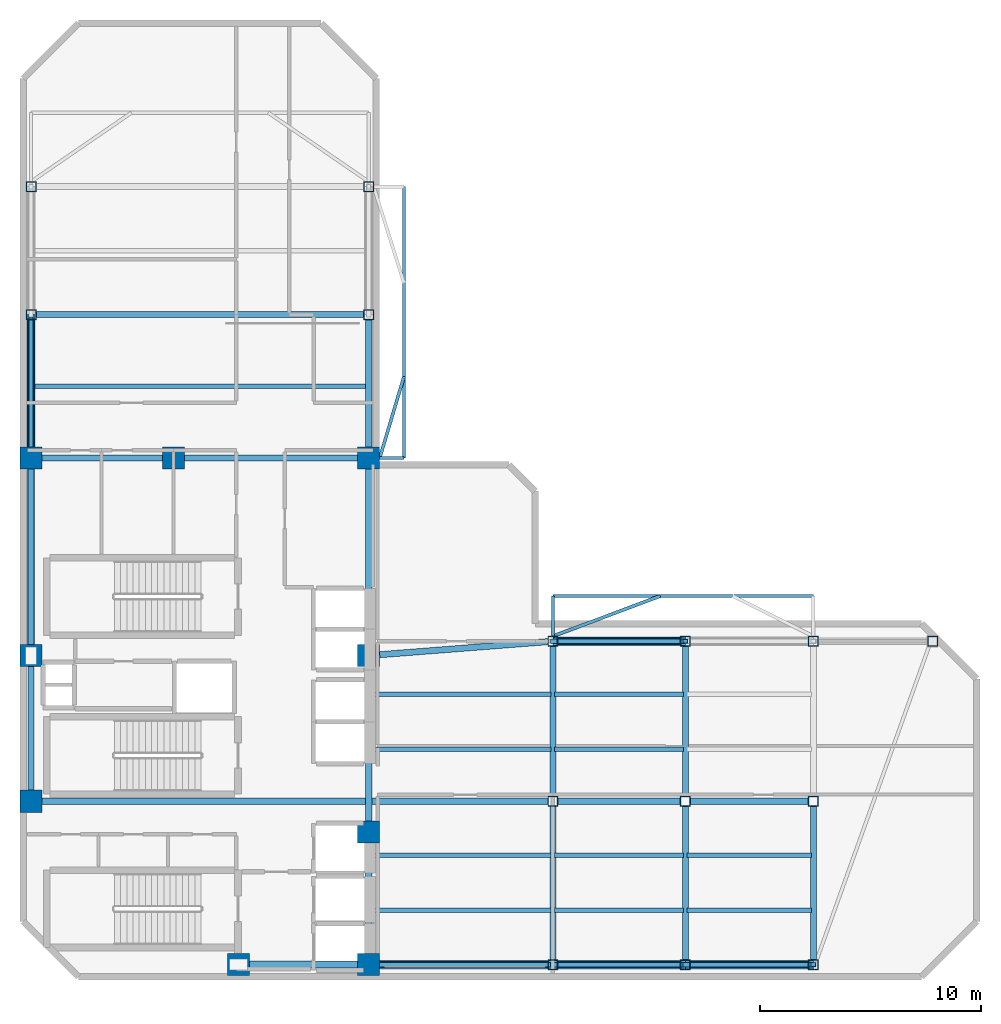
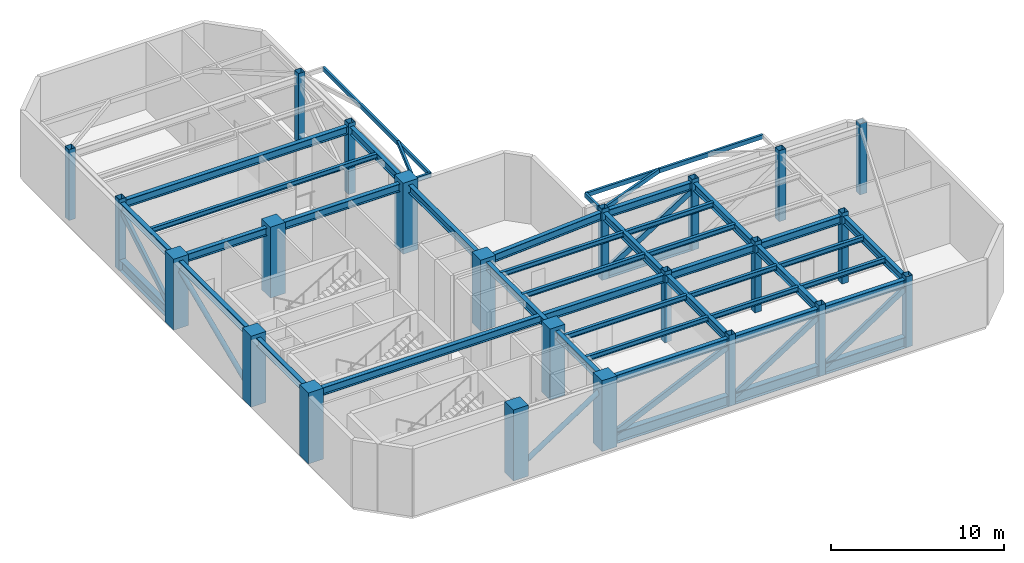
# One storey, part 1 of 7: 40 beams, 23 columns, 12 members.
"""IFC4 building model written with IfcOpenShell, lengths in metres."""

from ifc_helpers import new_model, si_unit, direction, frame, origin, origin_2d, place, context, subcontext, project, spatial, rectangle, hollow_rectangle, hollow_circle, i_section, extrude, material, material_profile, profile_set, type_object, element, save


model = new_model("IFC4")

# Units and contexts
model_context = context("Model", 3, precision=1e-05, world=origin(), true_north=direction((0.0, 1.0)))
body_context = subcontext(model_context, "Body", "Model", "MODEL_VIEW")
ifc_project = project(units=[si_unit("LENGTHUNIT", "METRE"), si_unit("AREAUNIT", "SQUARE_METRE"), si_unit("VOLUMEUNIT", "CUBIC_METRE"), si_unit("PLANEANGLEUNIT", "RADIAN"), si_unit("MASSUNIT", "GRAM", prefix="KILO")], contexts=[model_context])

# Site, building, storey
site_placement = place(None, origin())
site = spatial("IfcSite", under=ifc_project, at=site_placement, CompositionType="ELEMENT")
building_placement = place(site_placement, origin())
building = spatial("IfcBuilding", under=site, at=building_placement, Name="Mawjaban Terraces University", CompositionType="ELEMENT")
storey_placement = place(building_placement, frame((0.0, 0.0, 238.199951171875)))
storey = spatial("IfcBuildingStorey", under=building, at=storey_placement, Name="L58", CompositionType="ELEMENT", Elevation=238.199951171875)

# Columns
ifc_material_1 = material(Name="Concrete C60/75", Category="concrete")
ifc_material_profile_1 = material_profile(ifc_material_1, rectangle(XDim=1.0, YDim=1.0, at=origin_2d()), Name="RC1000X1000")
ifc_profile_set_1 = profile_set([ifc_material_profile_1], Name="Concrete C60/75")
column_type_1 = type_object("IfcColumnType", Name="Col_RC1000X1000", PredefinedType="COLUMN", material=ifc_profile_set_1)
for number, where, z_axis, x_axis, name in (
    (1, (31.75, 0.550048828125, 0.0), (0.0, 0.0, 1.0), (1.0, 0.0, 0.0), "L58 Column CC2"),
    (2, (37.64990234375, 0.550048828125, 0.0), (0.0, 0.0, 1.0), (1.0, 0.0, 0.0), "L58 Column CC3"),
    (3, (22.35009765625, 7.949951171875, 0.0), (0.0, 0.0, 1.0), (1.0, 0.0, 0.0), "L58 Column CC4"),
    (4, (37.64990234375, 6.550048828125, 0.0), (0.0, 0.0, 1.0), (1.0, 0.0, 0.0), "L58 Column CC5"),
    (5, (22.35009765625, 14.550048828125, 0.0), (0.0, 0.0, 1.0), (1.0, 0.0, 0.0), "L58 Column CC6"),
    (6, (37.64990234375, 14.550048828125, 0.0), (0.0, 0.0, 1.0), (1.0, 0.0, 0.0), "L58 Column CC7"),
    (7, (22.35009765625, 23.5, 0.0), (0.0, 0.0, 1.0), (1.0, 0.0, 0.0), "L58 Column CC8"),
    (8, (28.800048828125, 23.5, 0.0), (0.0, 0.0, 1.0), (1.0, 0.0, 0.0), "L58 Column CC9"),
    (9, (37.64990234375, 23.5, 0.0), (0.0, 0.0, 1.0), (1.0, 0.0, 0.0), "L58 Column CC10"),
):
    element("IfcColumn", number, at=place(storey_placement, frame(where, z_axis=z_axis, x_axis=x_axis)), inside=storey, type_object=column_type_1, Name=name, PredefinedType="COLUMN", context=body_context, shape_type="SweptSolid", body=[
        extrude(rectangle(XDim=1.0, YDim=1.0, at=origin_2d()), origin(), (0.0, 0.0, 1.0), 5.0),
    ])
ifc_material_2 = material(Name="Steel EN 10210-1 S355J2H", Category="steel")
ifc_material_profile_2 = material_profile(ifc_material_2, hollow_rectangle(XDim=0.449951171875, YDim=0.449951171875, WallThickness=0.02001953125, at=origin_2d()), Name="SHS450X450X20")
ifc_profile_set_2 = profile_set([ifc_material_profile_2], Name="Steel EN 10210-1 S355J2H")
column_type_2 = type_object("IfcColumnType", Name="Col_SHS450X450X20", PredefinedType="COLUMN", material=ifc_profile_set_2)
for number, where, z_axis, x_axis, name in (
    (10, (46.0, 0.550048828125, 0.0), (0.0, 0.0, 1.0), (1.0, 0.0, 0.0), "L58 Column TE-460-005"),
    (11, (46.0, 7.949951171875, 0.0), (0.0, 0.0, 1.0), (1.0, 0.0, 0.0), "L58 Column TE-460-080"),
    (12, (46.0, 15.199951171875, 0.0), (0.0, 0.0, 1.0), (1.0, 0.0, 0.0), "L58 Column TE-460-152"),
    (13, (52.0, 0.550048828125, 0.0), (0.0, 0.0, 1.0), (1.0, 0.0, 0.0), "L58 Column TE-520-005"),
    (14, (52.0, 7.949951171875, 0.0), (0.0, 0.0, 1.0), (1.0, 0.0, 0.0), "L58 Column TE-520-080"),
    (15, (52.0, 15.199951171875, 0.0), (0.0, 0.0, 1.0), (1.0, 0.0, 0.0), "L58 Column TE-520-152"),
    (16, (57.800048828125, 0.550048828125, 0.0), (0.0, 0.0, 1.0), (1.0, 0.0, 0.0), "L58 Column TE-578-005"),
    (17, (57.800048828125, 7.949951171875, 0.0), (0.0, 0.0, 1.0), (1.0, 0.0, 0.0), "L58 Column TE-578-080"),
    (18, (57.800048828125, 15.199951171875, 0.0), (0.0, 0.0, 1.0), (1.0, 0.0, 0.0), "L58 Column TE-578-152"),
    (19, (63.199951171875, 15.199951171875, 0.0), (0.0, 0.0, 1.0), (1.0, 0.0, 0.0), "L58 Column TE-632-152"),
    (20, (22.35009765625, 30.0, 0.0), (0.0, 0.0, 1.0), (1.0, 0.0, 0.0), "L58 Column TN-223-300"),
    (21, (37.64990234375, 30.0, 0.0), (0.0, 0.0, 1.0), (1.0, 0.0, 0.0), "L58 Column TN-376-300"),
    (22, (22.35009765625, 35.800048828125, 0.0), (0.0, 0.0, 1.0), (1.0, 0.0, 0.0), "L58 Column TN-223-358"),
    (23, (37.64990234375, 35.800048828125, 0.0), (0.0, 0.0, 1.0), (1.0, 0.0, 0.0), "L58 Column TN-376-358"),
):
    element("IfcColumn", number, at=place(storey_placement, frame(where, z_axis=z_axis, x_axis=x_axis)), inside=storey, type_object=column_type_2, Name=name, PredefinedType="COLUMN", context=body_context, shape_type="SweptSolid", body=[
        extrude(hollow_rectangle(XDim=0.449951171875, YDim=0.449951171875, WallThickness=0.02001953125, at=origin_2d()), origin(), (0.0, 0.0, 1.0), 5.0),
    ])

# Beams
ifc_material_profile_3 = material_profile(ifc_material_2, hollow_rectangle(XDim=0.14990234375, YDim=0.300048828125, WallThickness=0.012451171875, at=origin_2d()), Name="RHS300X150X12.5")
ifc_profile_set_3 = profile_set([ifc_material_profile_3], Name="Steel EN 10210-1 S355J2H")
beam_type_1 = type_object("IfcBeamType", Name="BalconyCantileverSpandrel_RHS", PredefinedType="SPANDREL", material=ifc_profile_set_3)
beam_1_placement = place(storey_placement, frame((46.0, 15.425048828125, 4.590087890625), z_axis=(0.0, 1.0, 0.0), x_axis=(-1.0, 0.0, 0.0)))
element("IfcBeam", 24, at=beam_1_placement, inside=storey, type_object=beam_type_1, Name="L58 Exterior Outrigger BAL-L59-N.1", PredefinedType="SPANDREL", context=body_context, shape_type="SweptSolid", body=[
    extrude(hollow_rectangle(XDim=0.14990234375, YDim=0.300048828125, WallThickness=0.012451171875, at=origin_2d()), origin(), (0.0, 0.0, 1.0), 1.824951171875),
])
beam_2_placement = place(storey_placement, frame((46.0, 17.25, 4.590087890625), z_axis=(1.0, 0.0, 0.0), x_axis=(0.0, 1.0, 0.0)))
element("IfcBeam", 25, at=beam_2_placement, inside=storey, type_object=beam_type_1, Name="L58 Exterior Edge Spandrel BAL-L59-N", PredefinedType="SPANDREL", context=body_context, shape_type="SweptSolid", body=[
    extrude(hollow_rectangle(XDim=0.14990234375, YDim=0.300048828125, WallThickness=0.012451171875, at=origin_2d()), origin(), (0.0, 0.0, 1.0), 11.800048828125),
])
beam_3_placement = place(storey_placement, frame((46.0, 15.425048828125, 4.590087890625), z_axis=(0.936176410734, 0.351530550572, 0.0), x_axis=(-0.351530550572, 0.936176410734, 0.0)))
element("IfcBeam", 26, at=beam_3_placement, inside=storey, type_object=beam_type_1, Name="L58 Exterior Diagonal Strut BAL-L59-N.1", PredefinedType="SPANDREL", context=body_context, shape_type="SweptSolid", body=[
    extrude(hollow_rectangle(XDim=0.14990234375, YDim=0.300048828125, WallThickness=0.012451171875, at=origin_2d()), origin(), (0.0, 0.0, 1.0), 5.19140625),
])
beam_4_placement = place(storey_placement, frame((38.14990234375, 23.5, 4.590087890625), z_axis=(1.0, 0.0, 0.0), x_axis=(0.0, 1.0, 0.0)))
element("IfcBeam", 27, at=beam_4_placement, inside=storey, type_object=beam_type_1, Name="L58 Exterior Outrigger BAL-L59-E.1", PredefinedType="SPANDREL", context=body_context, shape_type="SweptSolid", body=[
    extrude(hollow_rectangle(XDim=0.14990234375, YDim=0.300048828125, WallThickness=0.012451171875, at=origin_2d()), origin(), (0.0, 0.0, 1.0), 1.10009765625),
])
beam_5_placement = place(storey_placement, frame((39.25, 23.5, 4.590087890625), z_axis=(0.0, 1.0, 0.0), x_axis=(-1.0, 0.0, 0.0)))
element("IfcBeam", 28, at=beam_5_placement, inside=storey, type_object=beam_type_1, Name="L58 Exterior Edge Spandrel BAL-L59-E", PredefinedType="SPANDREL", context=body_context, shape_type="SweptSolid", body=[
    extrude(hollow_rectangle(XDim=0.14990234375, YDim=0.300048828125, WallThickness=0.012451171875, at=origin_2d()), origin(), (0.0, 0.0, 1.0), 12.300048828125),
])
beam_6_placement = place(storey_placement, frame((38.14990234375, 23.5, 4.590087890625), z_axis=(0.285204448761, 0.958466703859, 0.0), x_axis=(-0.958466703859, 0.285204448761, 0.0)))
element("IfcBeam", 29, at=beam_6_placement, inside=storey, type_object=beam_type_1, Name="L58 Exterior Diagonal Strut BAL-L59-E.1", PredefinedType="SPANDREL", context=body_context, shape_type="SweptSolid", body=[
    extrude(hollow_rectangle(XDim=0.14990234375, YDim=0.300048828125, WallThickness=0.012451171875, at=origin_2d()), origin(), (0.0, 0.0, 1.0), 3.857177734375),
])
ifc_material_3 = material(Name="Steel ASTM A572 Grade 50", Category="steel")
ifc_material_profile_4 = material_profile(ifc_material_3, i_section(OverallWidth=0.281005859375, OverallDepth=0.551025390625, WebThickness=0.01513671875, FlangeThickness=0.02587890625, at=origin_2d()), Name="W530X182")
ifc_profile_set_4 = profile_set([ifc_material_profile_4], Name="Steel ASTM A572 Grade 50")
beam_type_2 = type_object("IfcBeamType", Name="Beam_B_W530X182", PredefinedType="BEAM", material=ifc_profile_set_4)
beam_7_placement = place(storey_placement, frame((38.14990234375, 0.550048828125, 4.465087890625), z_axis=(1.0, 0.0, 0.0), x_axis=(0.0, 1.0, 0.0)))
element("IfcBeam", 30, at=beam_7_placement, inside=storey, type_object=beam_type_2, Name="L58 Beam BM-L58-EW-01", PredefinedType="BEAM", context=body_context, shape_type="SweptSolid", body=[
    extrude(i_section(OverallWidth=0.281005859375, OverallDepth=0.551025390625, WebThickness=0.01513671875, FlangeThickness=0.02587890625, at=origin_2d()), origin(), (0.0, 0.0, 1.0), 7.625),
])
beam_8_placement = place(storey_placement, frame((46.22509765625, 0.550048828125, 4.465087890625), z_axis=(1.0, 0.0, 0.0), x_axis=(0.0, 1.0, 0.0)))
element("IfcBeam", 31, at=beam_8_placement, inside=storey, type_object=beam_type_2, Name="L58 Beam BM-L58-EW-02", PredefinedType="BEAM", context=body_context, shape_type="SweptSolid", body=[
    extrude(i_section(OverallWidth=0.281005859375, OverallDepth=0.551025390625, WebThickness=0.01513671875, FlangeThickness=0.02587890625, at=origin_2d()), origin(), (0.0, 0.0, 1.0), 5.5498046875),
])
beam_9_placement = place(storey_placement, frame((52.22509765625, 0.550048828125, 4.465087890625), z_axis=(1.0, 0.0, 0.0), x_axis=(0.0, 1.0, 0.0)))
element("IfcBeam", 32, at=beam_9_placement, inside=storey, type_object=beam_type_2, Name="L58 Beam BM-L58-EW-03", PredefinedType="BEAM", context=body_context, shape_type="SweptSolid", body=[
    extrude(i_section(OverallWidth=0.281005859375, OverallDepth=0.551025390625, WebThickness=0.01513671875, FlangeThickness=0.02587890625, at=origin_2d()), origin(), (0.0, 0.0, 1.0), 5.349853515625),
])
beam_10_placement = place(storey_placement, frame((22.85009765625, 7.949951171875, 4.465087890625), z_axis=(1.0, 0.0, 0.0), x_axis=(0.0, 1.0, 0.0)))
element("IfcBeam", 33, at=beam_10_placement, inside=storey, type_object=beam_type_2, Name="L58 Beam BM-L58-EW-04", PredefinedType="BEAM", context=body_context, shape_type="SweptSolid", body=[
    extrude(i_section(OverallWidth=0.281005859375, OverallDepth=0.551025390625, WebThickness=0.01513671875, FlangeThickness=0.02587890625, at=origin_2d()), origin(), (0.0, 0.0, 1.0), 22.9248046875),
])
beam_11_placement = place(storey_placement, frame((46.22509765625, 7.949951171875, 4.465087890625), z_axis=(1.0, 0.0, 0.0), x_axis=(0.0, 1.0, 0.0)))
element("IfcBeam", 34, at=beam_11_placement, inside=storey, type_object=beam_type_2, Name="L58 Beam BM-L58-EW-05", PredefinedType="BEAM", context=body_context, shape_type="SweptSolid", body=[
    extrude(i_section(OverallWidth=0.281005859375, OverallDepth=0.551025390625, WebThickness=0.01513671875, FlangeThickness=0.02587890625, at=origin_2d()), origin(), (0.0, 0.0, 1.0), 5.5498046875),
])
beam_12_placement = place(storey_placement, frame((52.22509765625, 7.949951171875, 4.465087890625), z_axis=(1.0, 0.0, 0.0), x_axis=(0.0, 1.0, 0.0)))
element("IfcBeam", 35, at=beam_12_placement, inside=storey, type_object=beam_type_2, Name="L58 Beam BM-L58-EW-06", PredefinedType="BEAM", context=body_context, shape_type="SweptSolid", body=[
    extrude(i_section(OverallWidth=0.281005859375, OverallDepth=0.551025390625, WebThickness=0.01513671875, FlangeThickness=0.02587890625, at=origin_2d()), origin(), (0.0, 0.0, 1.0), 5.349853515625),
])
beam_13_placement = place(storey_placement, frame((46.22509765625, 15.199951171875, 4.465087890625), z_axis=(1.0, 0.0, 0.0), x_axis=(0.0, 1.0, 0.0)))
element("IfcBeam", 36, at=beam_13_placement, inside=storey, type_object=beam_type_2, Name="L58 Beam BM-L58-EW-07", PredefinedType="BEAM", context=body_context, shape_type="SweptSolid", body=[
    extrude(i_section(OverallWidth=0.281005859375, OverallDepth=0.551025390625, WebThickness=0.01513671875, FlangeThickness=0.02587890625, at=origin_2d()), origin(), (0.0, 0.0, 1.0), 5.5498046875),
])
beam_14_placement = place(storey_placement, frame((22.85009765625, 23.5, 4.465087890625), z_axis=(1.0, 0.0, 0.0), x_axis=(0.0, 1.0, 0.0)))
element("IfcBeam", 37, at=beam_14_placement, inside=storey, type_object=beam_type_2, Name="L58 Beam BM-L58-EW-10", PredefinedType="BEAM", context=body_context, shape_type="SweptSolid", body=[
    extrude(i_section(OverallWidth=0.281005859375, OverallDepth=0.551025390625, WebThickness=0.01513671875, FlangeThickness=0.02587890625, at=origin_2d()), origin(), (0.0, 0.0, 1.0), 5.449951171875),
])
beam_15_placement = place(storey_placement, frame((29.300048828125, 23.5, 4.465087890625), z_axis=(1.0, 0.0, 0.0), x_axis=(0.0, 1.0, 0.0)))
element("IfcBeam", 38, at=beam_15_placement, inside=storey, type_object=beam_type_2, Name="L58 Beam BM-L58-EW-11", PredefinedType="BEAM", context=body_context, shape_type="SweptSolid", body=[
    extrude(i_section(OverallWidth=0.281005859375, OverallDepth=0.551025390625, WebThickness=0.01513671875, FlangeThickness=0.02587890625, at=origin_2d()), origin(), (0.0, 0.0, 1.0), 7.849853515625),
])
beam_16_placement = place(storey_placement, frame((22.574951171875, 30.0, 4.465087890625), z_axis=(1.0, 0.0, 0.0), x_axis=(0.0, 1.0, 0.0)))
element("IfcBeam", 39, at=beam_16_placement, inside=storey, type_object=beam_type_2, Name="L58 Beam BM-L58-EW-12", PredefinedType="BEAM", context=body_context, shape_type="SweptSolid", body=[
    extrude(i_section(OverallWidth=0.281005859375, OverallDepth=0.551025390625, WebThickness=0.01513671875, FlangeThickness=0.02587890625, at=origin_2d()), origin(), (0.0, 0.0, 1.0), 14.85009765625),
])
beam_17_placement = place(storey_placement, frame((22.35009765625, 8.449951171875, 4.465087890625), z_axis=(0.0, 1.0, 0.0), x_axis=(-1.0, 0.0, 0.0)))
element("IfcBeam", 40, at=beam_17_placement, inside=storey, type_object=beam_type_2, Name="L58 Beam BM-L58-NS-01", PredefinedType="BEAM", context=body_context, shape_type="SweptSolid", body=[
    extrude(i_section(OverallWidth=0.281005859375, OverallDepth=0.551025390625, WebThickness=0.01513671875, FlangeThickness=0.02587890625, at=origin_2d()), origin(), (0.0, 0.0, 1.0), 5.60009765625),
])
beam_18_placement = place(storey_placement, frame((22.35009765625, 15.050048828125, 4.465087890625), z_axis=(0.0, 1.0, 0.0), x_axis=(-1.0, 0.0, 0.0)))
element("IfcBeam", 41, at=beam_18_placement, inside=storey, type_object=beam_type_2, Name="L58 Beam BM-L58-NS-02", PredefinedType="BEAM", context=body_context, shape_type="SweptSolid", body=[
    extrude(i_section(OverallWidth=0.281005859375, OverallDepth=0.551025390625, WebThickness=0.01513671875, FlangeThickness=0.02587890625, at=origin_2d()), origin(), (0.0, 0.0, 1.0), 7.949951171875),
])
beam_19_placement = place(storey_placement, frame((22.35009765625, 24.0, 4.465087890625), z_axis=(0.0, 1.0, 0.0), x_axis=(-1.0, 0.0, 0.0)))
element("IfcBeam", 42, at=beam_19_placement, inside=storey, type_object=beam_type_2, Name="L58 Beam BM-L58-NS-03", PredefinedType="BEAM", context=body_context, shape_type="SweptSolid", body=[
    extrude(i_section(OverallWidth=0.281005859375, OverallDepth=0.551025390625, WebThickness=0.01513671875, FlangeThickness=0.02587890625, at=origin_2d()), origin(), (0.0, 0.0, 1.0), 5.77490234375),
])
beam_20_placement = place(storey_placement, frame((37.64990234375, 1.050048828125, 4.465087890625), z_axis=(0.0, 1.0, 0.0), x_axis=(-1.0, 0.0, 0.0)))
element("IfcBeam", 43, at=beam_20_placement, inside=storey, type_object=beam_type_2, Name="L58 Beam BM-L58-NS-05", PredefinedType="BEAM", context=body_context, shape_type="SweptSolid", body=[
    extrude(i_section(OverallWidth=0.281005859375, OverallDepth=0.551025390625, WebThickness=0.01513671875, FlangeThickness=0.02587890625, at=origin_2d()), origin(), (0.0, 0.0, 1.0), 5.0),
])
beam_21_placement = place(storey_placement, frame((37.64990234375, 7.050048828125, 4.465087890625), z_axis=(0.0, 1.0, 0.0), x_axis=(-1.0, 0.0, 0.0)))
element("IfcBeam", 44, at=beam_21_placement, inside=storey, type_object=beam_type_2, Name="L58 Beam BM-L58-NS-06", PredefinedType="BEAM", context=body_context, shape_type="SweptSolid", body=[
    extrude(i_section(OverallWidth=0.281005859375, OverallDepth=0.551025390625, WebThickness=0.01513671875, FlangeThickness=0.02587890625, at=origin_2d()), origin(), (0.0, 0.0, 1.0), 7.0),
])
beam_22_placement = place(storey_placement, frame((37.64990234375, 15.050048828125, 4.465087890625), z_axis=(0.0, 1.0, 0.0), x_axis=(-1.0, 0.0, 0.0)))
element("IfcBeam", 45, at=beam_22_placement, inside=storey, type_object=beam_type_2, Name="L58 Beam BM-L58-NS-07", PredefinedType="BEAM", context=body_context, shape_type="SweptSolid", body=[
    extrude(i_section(OverallWidth=0.281005859375, OverallDepth=0.551025390625, WebThickness=0.01513671875, FlangeThickness=0.02587890625, at=origin_2d()), origin(), (0.0, 0.0, 1.0), 7.949951171875),
])
beam_23_placement = place(storey_placement, frame((37.64990234375, 24.0, 4.465087890625), z_axis=(0.0, 1.0, 0.0), x_axis=(-1.0, 0.0, 0.0)))
element("IfcBeam", 46, at=beam_23_placement, inside=storey, type_object=beam_type_2, Name="L58 Beam BM-L58-NS-08", PredefinedType="BEAM", context=body_context, shape_type="SweptSolid", body=[
    extrude(i_section(OverallWidth=0.281005859375, OverallDepth=0.551025390625, WebThickness=0.01513671875, FlangeThickness=0.02587890625, at=origin_2d()), origin(), (0.0, 0.0, 1.0), 5.77490234375),
])
beam_24_placement = place(storey_placement, frame((46.0, 0.77490234375, 4.465087890625), z_axis=(0.0, 1.0, 0.0), x_axis=(-1.0, 0.0, 0.0)))
element("IfcBeam", 47, at=beam_24_placement, inside=storey, type_object=beam_type_2, Name="L58 Beam BM-L58-NS-10", PredefinedType="BEAM", context=body_context, shape_type="SweptSolid", body=[
    extrude(i_section(OverallWidth=0.281005859375, OverallDepth=0.551025390625, WebThickness=0.01513671875, FlangeThickness=0.02587890625, at=origin_2d()), origin(), (0.0, 0.0, 1.0), 6.9501953125),
])
beam_25_placement = place(storey_placement, frame((46.0, 8.175048828125, 4.465087890625), z_axis=(0.0, 1.0, 0.0), x_axis=(-1.0, 0.0, 0.0)))
element("IfcBeam", 48, at=beam_25_placement, inside=storey, type_object=beam_type_2, Name="L58 Beam BM-L58-NS-11", PredefinedType="BEAM", context=body_context, shape_type="SweptSolid", body=[
    extrude(i_section(OverallWidth=0.281005859375, OverallDepth=0.551025390625, WebThickness=0.01513671875, FlangeThickness=0.02587890625, at=origin_2d()), origin(), (0.0, 0.0, 1.0), 6.800048828125),
])
beam_26_placement = place(storey_placement, frame((52.0, 0.77490234375, 4.465087890625), z_axis=(0.0, 1.0, 0.0), x_axis=(-1.0, 0.0, 0.0)))
element("IfcBeam", 49, at=beam_26_placement, inside=storey, type_object=beam_type_2, Name="L58 Beam BM-L58-NS-12", PredefinedType="BEAM", context=body_context, shape_type="SweptSolid", body=[
    extrude(i_section(OverallWidth=0.281005859375, OverallDepth=0.551025390625, WebThickness=0.01513671875, FlangeThickness=0.02587890625, at=origin_2d()), origin(), (0.0, 0.0, 1.0), 6.9501953125),
])
beam_27_placement = place(storey_placement, frame((52.0, 8.175048828125, 4.465087890625), z_axis=(0.0, 1.0, 0.0), x_axis=(-1.0, 0.0, 0.0)))
element("IfcBeam", 50, at=beam_27_placement, inside=storey, type_object=beam_type_2, Name="L58 Beam BM-L58-NS-13", PredefinedType="BEAM", context=body_context, shape_type="SweptSolid", body=[
    extrude(i_section(OverallWidth=0.281005859375, OverallDepth=0.551025390625, WebThickness=0.01513671875, FlangeThickness=0.02587890625, at=origin_2d()), origin(), (0.0, 0.0, 1.0), 6.800048828125),
])
beam_28_placement = place(storey_placement, frame((57.800048828125, 0.77490234375, 4.465087890625), z_axis=(0.0, 1.0, 0.0), x_axis=(-1.0, 0.0, 0.0)))
element("IfcBeam", 51, at=beam_28_placement, inside=storey, type_object=beam_type_2, Name="L58 Beam BM-L58-NS-14", PredefinedType="BEAM", context=body_context, shape_type="SweptSolid", body=[
    extrude(i_section(OverallWidth=0.281005859375, OverallDepth=0.551025390625, WebThickness=0.01513671875, FlangeThickness=0.02587890625, at=origin_2d()), origin(), (0.0, 0.0, 1.0), 6.9501953125),
])
beam_29_placement = place(storey_placement, frame((38.14794921875, 14.589111328125, 4.465087890625), z_axis=(0.99698177718, 0.077635919341, 0.0), x_axis=(-0.077635919341, 0.99698177718, 0.0)))
element("IfcBeam", 52, at=beam_29_placement, inside=storey, type_object=beam_type_2, Name="L58 Beam BM-L58-CTIE", PredefinedType="BEAM", context=body_context, shape_type="SweptSolid", body=[
    extrude(i_section(OverallWidth=0.281005859375, OverallDepth=0.551025390625, WebThickness=0.01513671875, FlangeThickness=0.02587890625, at=origin_2d()), origin(), (0.0, 0.0, 1.0), 7.651123046875),
])
ifc_material_profile_5 = material_profile(ifc_material_3, i_section(OverallWidth=0.202880859375, OverallDepth=0.346923828125, WebThickness=0.0078125, FlangeThickness=0.013427734375, at=origin_2d()), Name="W360X64")
ifc_profile_set_5 = profile_set([ifc_material_profile_5], Name="Steel ASTM A572 Grade 50")
beam_type_3 = type_object("IfcBeamType", Name="Beam_J_W360X64", PredefinedType="JOIST", material=ifc_profile_set_5)
beam_30_placement = place(storey_placement, frame((37.72998046875, 3.0, 4.567138671875), z_axis=(1.0, 0.0, 0.0), x_axis=(0.0, 1.0, 0.0)))
element("IfcBeam", 53, at=beam_30_placement, inside=storey, type_object=beam_type_3, Name="L58 Composite Joist JST-L58-01", PredefinedType="JOIST", context=body_context, shape_type="SweptSolid", body=[
    extrude(i_section(OverallWidth=0.202880859375, OverallDepth=0.346923828125, WebThickness=0.0078125, FlangeThickness=0.013427734375, at=origin_2d()), origin(), (0.0, 0.0, 1.0), 8.18994140625),
])
beam_31_placement = place(storey_placement, frame((46.080078125, 3.0, 4.567138671875), z_axis=(1.0, 0.0, 0.0), x_axis=(0.0, 1.0, 0.0)))
element("IfcBeam", 54, at=beam_31_placement, inside=storey, type_object=beam_type_3, Name="L58 Composite Joist JST-L58-02", PredefinedType="JOIST", context=body_context, shape_type="SweptSolid", body=[
    extrude(i_section(OverallWidth=0.202880859375, OverallDepth=0.346923828125, WebThickness=0.0078125, FlangeThickness=0.013427734375, at=origin_2d()), origin(), (0.0, 0.0, 1.0), 5.83984375),
])
beam_32_placement = place(storey_placement, frame((52.080078125, 3.0, 4.567138671875), z_axis=(1.0, 0.0, 0.0), x_axis=(0.0, 1.0, 0.0)))
element("IfcBeam", 55, at=beam_32_placement, inside=storey, type_object=beam_type_3, Name="L58 Composite Joist JST-L58-03", PredefinedType="JOIST", context=body_context, shape_type="SweptSolid", body=[
    extrude(i_section(OverallWidth=0.202880859375, OverallDepth=0.346923828125, WebThickness=0.0078125, FlangeThickness=0.013427734375, at=origin_2d()), origin(), (0.0, 0.0, 1.0), 5.639892578125),
])
beam_33_placement = place(storey_placement, frame((37.72998046875, 5.5, 4.567138671875), z_axis=(1.0, 0.0, 0.0), x_axis=(0.0, 1.0, 0.0)))
element("IfcBeam", 56, at=beam_33_placement, inside=storey, type_object=beam_type_3, Name="L58 Composite Joist JST-L58-04", PredefinedType="JOIST", context=body_context, shape_type="SweptSolid", body=[
    extrude(i_section(OverallWidth=0.202880859375, OverallDepth=0.346923828125, WebThickness=0.0078125, FlangeThickness=0.013427734375, at=origin_2d()), origin(), (0.0, 0.0, 1.0), 8.18994140625),
])
beam_34_placement = place(storey_placement, frame((46.080078125, 5.5, 4.567138671875), z_axis=(1.0, 0.0, 0.0), x_axis=(0.0, 1.0, 0.0)))
element("IfcBeam", 57, at=beam_34_placement, inside=storey, type_object=beam_type_3, Name="L58 Composite Joist JST-L58-05", PredefinedType="JOIST", context=body_context, shape_type="SweptSolid", body=[
    extrude(i_section(OverallWidth=0.202880859375, OverallDepth=0.346923828125, WebThickness=0.0078125, FlangeThickness=0.013427734375, at=origin_2d()), origin(), (0.0, 0.0, 1.0), 5.83984375),
])
beam_35_placement = place(storey_placement, frame((52.080078125, 5.5, 4.567138671875), z_axis=(1.0, 0.0, 0.0), x_axis=(0.0, 1.0, 0.0)))
element("IfcBeam", 58, at=beam_35_placement, inside=storey, type_object=beam_type_3, Name="L58 Composite Joist JST-L58-06", PredefinedType="JOIST", context=body_context, shape_type="SweptSolid", body=[
    extrude(i_section(OverallWidth=0.202880859375, OverallDepth=0.346923828125, WebThickness=0.0078125, FlangeThickness=0.013427734375, at=origin_2d()), origin(), (0.0, 0.0, 1.0), 5.639892578125),
])
beam_36_placement = place(storey_placement, frame((37.72998046875, 10.300048828125, 4.567138671875), z_axis=(1.0, 0.0, 0.0), x_axis=(0.0, 1.0, 0.0)))
element("IfcBeam", 59, at=beam_36_placement, inside=storey, type_object=beam_type_3, Name="L58 Composite Joist JST-L58-07", PredefinedType="JOIST", context=body_context, shape_type="SweptSolid", body=[
    extrude(i_section(OverallWidth=0.202880859375, OverallDepth=0.346923828125, WebThickness=0.0078125, FlangeThickness=0.013427734375, at=origin_2d()), origin(), (0.0, 0.0, 1.0), 8.18994140625),
])
beam_37_placement = place(storey_placement, frame((46.080078125, 10.300048828125, 4.567138671875), z_axis=(1.0, 0.0, 0.0), x_axis=(0.0, 1.0, 0.0)))
element("IfcBeam", 60, at=beam_37_placement, inside=storey, type_object=beam_type_3, Name="L58 Composite Joist JST-L58-08", PredefinedType="JOIST", context=body_context, shape_type="SweptSolid", body=[
    extrude(i_section(OverallWidth=0.202880859375, OverallDepth=0.346923828125, WebThickness=0.0078125, FlangeThickness=0.013427734375, at=origin_2d()), origin(), (0.0, 0.0, 1.0), 5.83984375),
])
beam_38_placement = place(storey_placement, frame((37.72998046875, 12.800048828125, 4.567138671875), z_axis=(1.0, 0.0, 0.0), x_axis=(0.0, 1.0, 0.0)))
element("IfcBeam", 61, at=beam_38_placement, inside=storey, type_object=beam_type_3, Name="L58 Composite Joist JST-L58-10", PredefinedType="JOIST", context=body_context, shape_type="SweptSolid", body=[
    extrude(i_section(OverallWidth=0.202880859375, OverallDepth=0.346923828125, WebThickness=0.0078125, FlangeThickness=0.013427734375, at=origin_2d()), origin(), (0.0, 0.0, 1.0), 8.18994140625),
])
beam_39_placement = place(storey_placement, frame((46.080078125, 12.800048828125, 4.567138671875), z_axis=(1.0, 0.0, 0.0), x_axis=(0.0, 1.0, 0.0)))
element("IfcBeam", 62, at=beam_39_placement, inside=storey, type_object=beam_type_3, Name="L58 Composite Joist JST-L58-11", PredefinedType="JOIST", context=body_context, shape_type="SweptSolid", body=[
    extrude(i_section(OverallWidth=0.202880859375, OverallDepth=0.346923828125, WebThickness=0.0078125, FlangeThickness=0.013427734375, at=origin_2d()), origin(), (0.0, 0.0, 1.0), 5.83984375),
])
beam_40_placement = place(storey_placement, frame((22.429931640625, 26.75, 4.567138671875), z_axis=(1.0, 0.0, 0.0), x_axis=(0.0, 1.0, 0.0)))
element("IfcBeam", 63, at=beam_40_placement, inside=storey, type_object=beam_type_3, Name="L58 Composite Joist JST-L58-13", PredefinedType="JOIST", context=body_context, shape_type="SweptSolid", body=[
    extrude(i_section(OverallWidth=0.202880859375, OverallDepth=0.346923828125, WebThickness=0.0078125, FlangeThickness=0.013427734375, at=origin_2d()), origin(), (0.0, 0.0, 1.0), 15.14013671875),
])

# Members
ifc_material_profile_6 = material_profile(ifc_material_2, hollow_circle(Radius=0.161865234375, WallThickness=0.012451171875, at=origin_2d()), Name="CHS323.9X12.5")
ifc_profile_set_6 = profile_set([ifc_material_profile_6], Name="Steel EN 10210-1 S355J2H")
member_type_1 = type_object("IfcMemberType", Name="Mem_BRACE_CHS323.9X12.5", PredefinedType="BRACE", material=ifc_profile_set_6)
member_1_placement = place(storey_placement, frame((31.75, 0.550048828125, 0.35009765625), z_axis=(0.838124935172, 0.0, 0.545478315832), x_axis=(0.0, 1.0, 0.0)))
element("IfcMember", 64, at=member_1_placement, inside=storey, type_object=member_type_1, Name="L58 Outrigger Truss Diagonal OUT-E1", PredefinedType="BRACE", context=body_context, shape_type="SweptSolid", body=[
    extrude(hollow_circle(Radius=0.161865234375, WallThickness=0.012451171875, at=origin_2d()), origin(), (0.0, 0.0, 1.0), 7.039306640625),
])
member_2_placement = place(storey_placement, frame((22.35009765625, 14.550048828125, 0.35009765625), z_axis=(0.0, 0.918990657805, 0.394279305654), x_axis=(-1.0, 0.0, 0.0)))
element("IfcMember", 65, at=member_2_placement, inside=storey, type_object=member_type_1, Name="L58 Outrigger Truss Diagonal OUT-N1", PredefinedType="BRACE", context=body_context, shape_type="SweptSolid", body=[
    extrude(hollow_circle(Radius=0.161865234375, WallThickness=0.012451171875, at=origin_2d()), origin(), (0.0, 0.0, 1.0), 9.739013671875),
])
ifc_material_4 = material(Name="Steel ASTM A913 Grade 65", Category="steel")
ifc_material_profile_7 = material_profile(ifc_material_4, hollow_rectangle(XDim=0.199951171875, YDim=0.39990234375, WallThickness=0.013916015625, at=origin_2d()), Name="RHS400X200X14")
ifc_profile_set_7 = profile_set([ifc_material_profile_7], Name="Steel ASTM A913 Grade 65")
member_type_2 = type_object("IfcMemberType", Name="Mem_BRACE_RHS400X200X14", PredefinedType="BRACE", material=ifc_profile_set_7)
member_3_placement = place(storey_placement, frame((37.64990234375, 0.550048828125, 0.35009765625), z_axis=(0.908540066217, 0.0, 0.417797735847), x_axis=(0.0, 1.0, 0.0)))
element("IfcMember", 66, at=member_3_placement, inside=storey, type_object=member_type_2, Name="L58 Belt Truss Brace BS1", PredefinedType="BRACE", context=body_context, shape_type="SweptSolid", body=[
    extrude(hollow_rectangle(XDim=0.199951171875, YDim=0.39990234375, WallThickness=0.013916015625, at=origin_2d()), origin(), (0.0, 0.0, 1.0), 9.190673828125),
])
member_4_placement = place(storey_placement, frame((46.0, 0.550048828125, 0.35009765625), z_axis=(0.842281359387, 0.0, 0.539038135598), x_axis=(0.0, 1.0, 0.0)))
element("IfcMember", 67, at=member_4_placement, inside=storey, type_object=member_type_2, Name="L58 Belt Truss Brace BS2", PredefinedType="BRACE", context=body_context, shape_type="SweptSolid", body=[
    extrude(hollow_rectangle(XDim=0.199951171875, YDim=0.39990234375, WallThickness=0.013916015625, at=origin_2d()), origin(), (0.0, 0.0, 1.0), 7.12353515625),
])
member_5_placement = place(storey_placement, frame((52.0, 0.550048828125, 0.35009765625), z_axis=(0.833827909756, 0.0, 0.552024471298), x_axis=(0.0, 1.0, 0.0)))
element("IfcMember", 68, at=member_5_placement, inside=storey, type_object=member_type_2, Name="L58 Belt Truss Brace BS3", PredefinedType="BRACE", context=body_context, shape_type="SweptSolid", body=[
    extrude(hollow_rectangle(XDim=0.199951171875, YDim=0.39990234375, WallThickness=0.013916015625, at=origin_2d()), origin(), (0.0, 0.0, 1.0), 6.955810546875),
])
member_6_placement = place(storey_placement, frame((46.0, 15.199951171875, 0.35009765625), z_axis=(0.842281359387, 0.0, 0.539038135598), x_axis=(0.0, 1.0, 0.0)))
element("IfcMember", 69, at=member_6_placement, inside=storey, type_object=member_type_2, Name="L58 Belt Truss Brace BE2", PredefinedType="BRACE", context=body_context, shape_type="SweptSolid", body=[
    extrude(hollow_rectangle(XDim=0.199951171875, YDim=0.39990234375, WallThickness=0.013916015625, at=origin_2d()), origin(), (0.0, 0.0, 1.0), 7.12353515625),
])
member_7_placement = place(storey_placement, frame((22.35009765625, 23.5, 0.35009765625), z_axis=(0.0, 0.86098832711, 0.508624714873), x_axis=(-1.0, 0.0, 0.0)))
element("IfcMember", 70, at=member_7_placement, inside=storey, type_object=member_type_2, Name="L58 Belt Truss Brace BW1", PredefinedType="BRACE", context=body_context, shape_type="SweptSolid", body=[
    extrude(hollow_rectangle(XDim=0.199951171875, YDim=0.39990234375, WallThickness=0.013916015625, at=origin_2d()), origin(), (0.0, 0.0, 1.0), 7.549560546875),
])
ifc_material_profile_8 = material_profile(ifc_material_4, i_section(OverallWidth=0.381103515625, OverallDepth=0.77294921875, WebThickness=0.0166015625, FlangeThickness=0.027587890625, at=origin_2d()), Name="W760X257")
ifc_profile_set_8 = profile_set([ifc_material_profile_8], Name="Steel ASTM A913 Grade 65")
member_type_3 = type_object("IfcMemberType", Name="Mem_CHORD_W760X257", PredefinedType="CHORD", material=ifc_profile_set_8)
member_8_placement = place(storey_placement, frame((37.64990234375, 0.550048828125, 0.35009765625), z_axis=(1.0, 0.0, 0.0), x_axis=(0.0, 1.0, 0.0)))
element("IfcMember", 71, at=member_8_placement, inside=storey, type_object=member_type_3, Name="L58 Belt Truss Chord BS1", PredefinedType="CHORD", context=body_context, shape_type="SweptSolid", body=[
    extrude(i_section(OverallWidth=0.381103515625, OverallDepth=0.77294921875, WebThickness=0.0166015625, FlangeThickness=0.027587890625, at=origin_2d()), origin(), (0.0, 0.0, 1.0), 8.35009765625),
])
member_9_placement = place(storey_placement, frame((46.0, 0.550048828125, 0.35009765625), z_axis=(1.0, 0.0, 0.0), x_axis=(0.0, 1.0, 0.0)))
element("IfcMember", 72, at=member_9_placement, inside=storey, type_object=member_type_3, Name="L58 Belt Truss Chord BS2", PredefinedType="CHORD", context=body_context, shape_type="SweptSolid", body=[
    extrude(i_section(OverallWidth=0.381103515625, OverallDepth=0.77294921875, WebThickness=0.0166015625, FlangeThickness=0.027587890625, at=origin_2d()), origin(), (0.0, 0.0, 1.0), 6.0),
])
member_10_placement = place(storey_placement, frame((52.0, 0.550048828125, 0.35009765625), z_axis=(1.0, 0.0, 0.0), x_axis=(0.0, 1.0, 0.0)))
element("IfcMember", 73, at=member_10_placement, inside=storey, type_object=member_type_3, Name="L58 Belt Truss Chord BS3", PredefinedType="CHORD", context=body_context, shape_type="SweptSolid", body=[
    extrude(i_section(OverallWidth=0.381103515625, OverallDepth=0.77294921875, WebThickness=0.0166015625, FlangeThickness=0.027587890625, at=origin_2d()), origin(), (0.0, 0.0, 1.0), 5.800048828125),
])
member_11_placement = place(storey_placement, frame((46.0, 15.199951171875, 0.35009765625), z_axis=(1.0, 0.0, 0.0), x_axis=(0.0, 1.0, 0.0)))
element("IfcMember", 74, at=member_11_placement, inside=storey, type_object=member_type_3, Name="L58 Belt Truss Chord BE2", PredefinedType="CHORD", context=body_context, shape_type="SweptSolid", body=[
    extrude(i_section(OverallWidth=0.381103515625, OverallDepth=0.77294921875, WebThickness=0.0166015625, FlangeThickness=0.027587890625, at=origin_2d()), origin(), (0.0, 0.0, 1.0), 6.0),
])
member_12_placement = place(storey_placement, frame((22.35009765625, 23.5, 0.35009765625), z_axis=(0.0, 1.0, 0.0), x_axis=(-1.0, 0.0, 0.0)))
element("IfcMember", 75, at=member_12_placement, inside=storey, type_object=member_type_3, Name="L58 Belt Truss Chord BW1", PredefinedType="CHORD", context=body_context, shape_type="SweptSolid", body=[
    extrude(i_section(OverallWidth=0.381103515625, OverallDepth=0.77294921875, WebThickness=0.0166015625, FlangeThickness=0.027587890625, at=origin_2d()), origin(), (0.0, 0.0, 1.0), 6.5),
])

save(model, "model.ifc")
